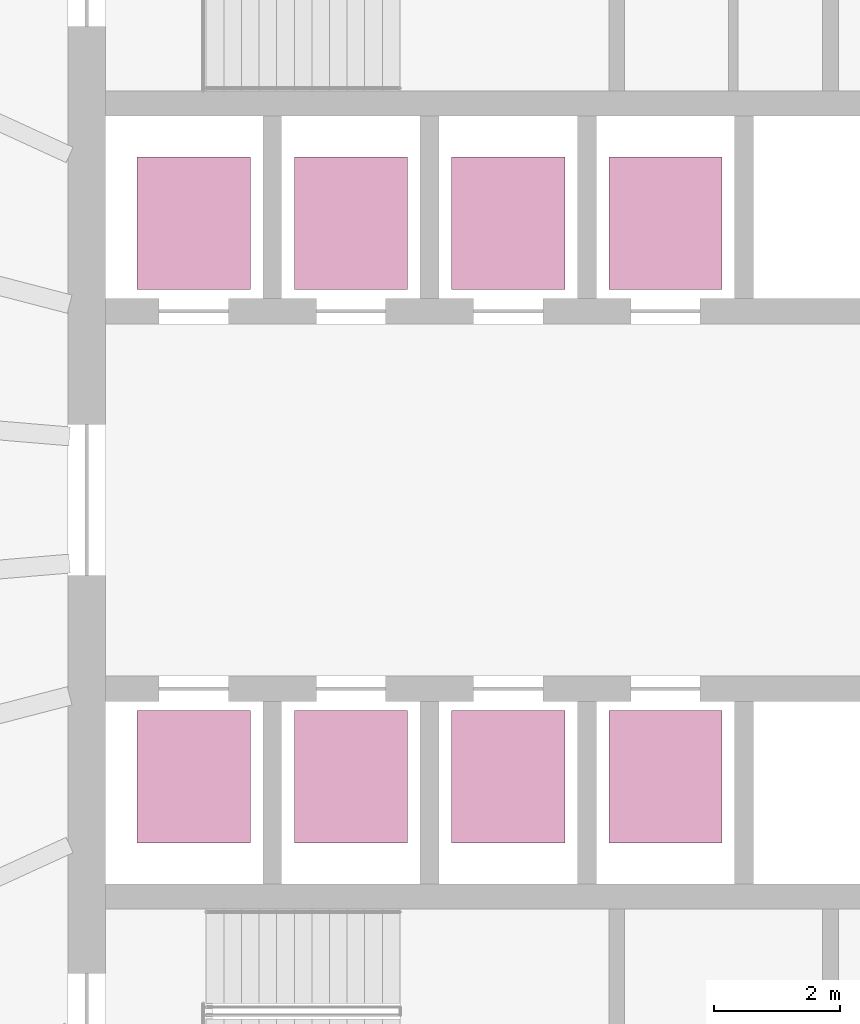
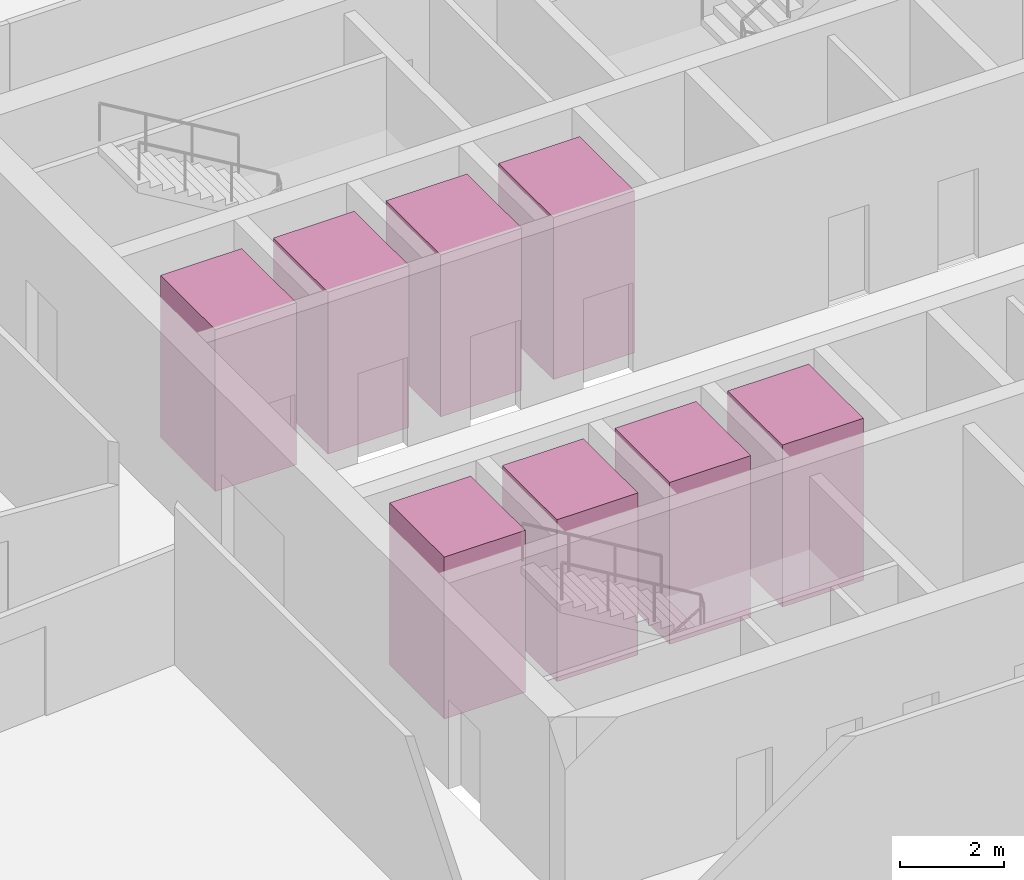
# One storey, part 10 of 10: 8 transport elements.
"""IFC4 building model written with IfcOpenShell, lengths in metres."""

from ifc_helpers import new_model, si_unit, direction, frame, origin, origin_2d, place, context, subcontext, project, spatial, rectangle, extrude, material, type_object, element, save


model = new_model("IFC4")

# Units and contexts
model_context = context("Model", 3, precision=1e-05, world=origin(), true_north=direction((0.0, 1.0)))
body_context = subcontext(model_context, "Body", "Model", "MODEL_VIEW")
ifc_project = project(units=[si_unit("LENGTHUNIT", "METRE"), si_unit("AREAUNIT", "SQUARE_METRE"), si_unit("VOLUMEUNIT", "CUBIC_METRE"), si_unit("PLANEANGLEUNIT", "RADIAN"), si_unit("MASSUNIT", "GRAM", prefix="KILO")], contexts=[model_context])

# Site, building, storey
site_placement = place(None, origin())
site = spatial("IfcSite", under=ifc_project, at=site_placement, CompositionType="ELEMENT")
building_placement = place(site_placement, origin())
building = spatial("IfcBuilding", under=site, at=building_placement, Name="Halqa Exchange Tower", CompositionType="ELEMENT")
storey_placement = place(building_placement, frame((0.0, 0.0, 178.89990234375)))
storey = spatial("IfcBuildingStorey", under=building, at=storey_placement, Name="L40", CompositionType="ELEMENT", Elevation=178.89990234375)

# Transport elements
ifc_material = material(Name="Stainless steel", Category="steel")
transport_element_type_1 = type_object("IfcTransportElementType", Name="High-rise passenger lift 1800 x 2100", PredefinedType="ELEVATOR", material=ifc_material)
for number, where, z_axis, x_axis, name in (
    (1, (-10.0, 4.39990234375, 0.0), (0.0, 0.0, 1.0), (1.0, 0.0, 0.0), "High-rise passenger lift HR1"),
    (2, (-7.5, 4.39990234375, 0.0), (0.0, 0.0, 1.0), (1.0, 0.0, 0.0), "High-rise passenger lift HR2"),
    (3, (-10.0, -4.39990234375, 0.0), (0.0, 0.0, 1.0), (1.0, 0.0, 0.0), "High-rise passenger lift HR3"),
    (4, (-7.5, -4.39990234375, 0.0), (0.0, 0.0, 1.0), (1.0, 0.0, 0.0), "High-rise passenger lift HR4"),
):
    element("IfcTransportElement", number, at=place(storey_placement, frame(where, z_axis=z_axis, x_axis=x_axis)), inside=storey, type_object=transport_element_type_1, Name=name, PredefinedType="ELEVATOR", context=body_context, shape_type="SweptSolid", body=[
        extrude(rectangle(XDim=1.800048828125, YDim=2.10009765625, at=origin_2d()), origin(), (0.0, 0.0, 1.0), 3.800048828125),
    ])
transport_element_type_2 = type_object("IfcTransportElementType", Name="Mid-rise passenger lift 1800 x 2100", PredefinedType="ELEVATOR", material=ifc_material)
for number, where, z_axis, x_axis, name in (
    (5, (-5.0, 4.39990234375, 0.0), (0.0, 0.0, 1.0), (1.0, 0.0, 0.0), "Mid-rise passenger lift MR1"),
    (6, (-2.5, 4.39990234375, 0.0), (0.0, 0.0, 1.0), (1.0, 0.0, 0.0), "Mid-rise passenger lift MR2"),
    (7, (-5.0, -4.39990234375, 0.0), (0.0, 0.0, 1.0), (1.0, 0.0, 0.0), "Mid-rise passenger lift MR3"),
    (8, (-2.5, -4.39990234375, 0.0), (0.0, 0.0, 1.0), (1.0, 0.0, 0.0), "Mid-rise passenger lift MR4"),
):
    element("IfcTransportElement", number, at=place(storey_placement, frame(where, z_axis=z_axis, x_axis=x_axis)), inside=storey, type_object=transport_element_type_2, Name=name, PredefinedType="ELEVATOR", context=body_context, shape_type="SweptSolid", body=[
        extrude(rectangle(XDim=1.800048828125, YDim=2.10009765625, at=origin_2d()), origin(), (0.0, 0.0, 1.0), 3.800048828125),
    ])

save(model, "model.ifc")
